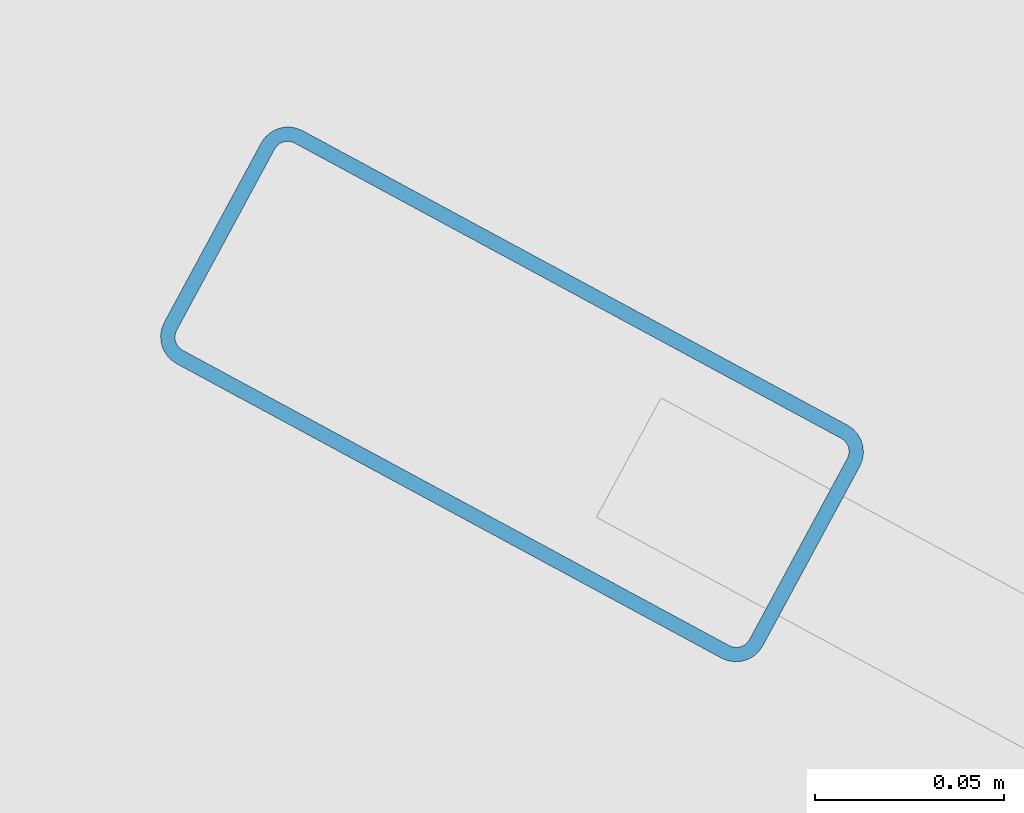
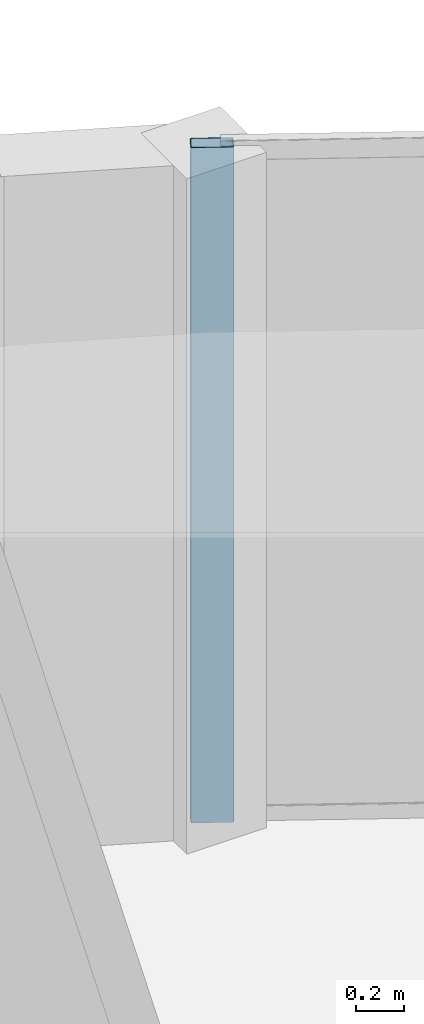
# One storey, part 8 of 14: 1 member, 1 element without a shape of its own.
"""IFC4 building model written with IfcOpenShell, lengths in metres."""

import ifcopenshell
import ifcopenshell.guid

model = None  # the IFC model being written
_history = None  # IfcOwnerHistory: only IFC2X3 demands one
_inside = {}  # id of a spatial element -> (the spatial element, [elements in it])
_under = {}  # id of a project, library or spatial element -> (it, [spatial elements below it])
_declared = {}  # id of a project -> (the project, [libraries it declares])
_typed = {}  # id of a type object -> (the type object, [elements of that type])
_made_of = {}  # id of a material, layer set ... -> (it, [elements and type objects made of it])


def new_model(schema):
    """Start an empty IFC model of exactly this schema.

    Asked for "IFC4X3", IfcOpenShell would pick the latest addendum, in which some entities
    have other attributes; the version numbers below select the first issue.
    IFC2X3 requires an IfcOwnerHistory on every rooted entity: one is made here for all.
    """
    global model, _history
    if schema == "IFC4X3":
        model = ifcopenshell.file(schema_version=(4, 3, 0, 0))
    else:
        model = ifcopenshell.file(schema=schema)
    _inside.clear()
    _under.clear()
    _declared.clear()
    _typed.clear()
    _made_of.clear()
    _history = None
    if model.schema == "IFC2X3":
        org = make("IfcOrganization", Name="unknown")
        user = make(
            "IfcPersonAndOrganization",
            ThePerson=make("IfcPerson", FamilyName="unknown"),
            TheOrganization=org,
        )
        app = make(
            "IfcApplication",
            ApplicationDeveloper=org,
            Version="unknown",
            ApplicationFullName="unknown",
            ApplicationIdentifier="unknown",
        )
        _history = make(
            "IfcOwnerHistory",
            OwningUser=user,
            OwningApplication=app,
            ChangeAction="ADDED",
            CreationDate=0,
        )
    return model


def make(cls, **values):
    """One entity of the class cls with the attributes given. An attribute that is None is left unset."""
    return model.create_entity(
        cls, **{name: value for name, value in values.items() if value is not None}
    )


def rooted(cls, **values):
    """An entity with a GlobalId (a new one), such as an element, a storey or a relation."""
    return make(cls, GlobalId=ifcopenshell.guid.new(), OwnerHistory=_history, **values)


def si_unit(unit_type, name, prefix=None):
    """IfcSIUnit, for example si_unit("LENGTHUNIT", "METRE", prefix="MILLI")."""
    return make("IfcSIUnit", UnitType=unit_type, Prefix=prefix, Name=name)


def assignment(units):
    """IfcUnitAssignment: the units of a project."""
    return None if units is None else make("IfcUnitAssignment", Units=units)


def point(xyz):
    """IfcCartesianPoint."""
    return None if xyz is None else make("IfcCartesianPoint", Coordinates=xyz)


def direction(xyz):
    """IfcDirection."""
    return None if xyz is None else make("IfcDirection", DirectionRatios=xyz)


def frame(location, z_axis=None, x_axis=None):
    """IfcAxis2Placement3D, a coordinate frame: its origin and axes. An axis left out is left unset."""
    return make(
        "IfcAxis2Placement3D",
        Location=point(location),
        Axis=direction(z_axis),
        RefDirection=direction(x_axis),
    )


def frame_2d(location, x_axis=None):
    """IfcAxis2Placement2D, a coordinate frame in the plane: its origin and x axis."""
    return make(
        "IfcAxis2Placement2D", Location=point(location), RefDirection=direction(x_axis)
    )


def origin():
    """The frame at (0, 0, 0) with its axes left unset."""
    return frame((0.0, 0.0, 0.0))


def origin_2d():
    """The frame at (0, 0) in the plane with its x axis left unset."""
    return frame_2d((0.0, 0.0))


def place(relative_to, where):
    """IfcLocalPlacement: puts the frame where relative to a parent placement (None: the world)."""
    return make(
        "IfcLocalPlacement", PlacementRelTo=relative_to, RelativePlacement=where
    )


def context(
    kind, dimensions, precision=None, world=None, true_north=None, identifier=None
):
    """IfcGeometricRepresentationContext, for example the 3D "Model" context."""
    return make(
        "IfcGeometricRepresentationContext",
        ContextIdentifier=identifier,
        ContextType=kind,
        CoordinateSpaceDimension=dimensions,
        Precision=precision,
        WorldCoordinateSystem=world,
        TrueNorth=true_north,
    )


def subcontext(parent, identifier, kind, view, scale=None):
    """IfcGeometricRepresentationSubContext, for example "Body" below "Model"."""
    return make(
        "IfcGeometricRepresentationSubContext",
        ContextIdentifier=identifier,
        ContextType=kind,
        ParentContext=parent,
        TargetScale=scale,
        TargetView=view,
    )


def project(units=None, contexts=None):
    """IfcProject with its units and contexts."""
    return rooted(
        "IfcProject",
        Name="project",
        RepresentationContexts=contexts,
        UnitsInContext=assignment(units),
    )


def spatial(cls, under=None, at=None, **own):
    """A site, building, storey or space (cls), placed at a placement, below another one or the project."""
    s = rooted(cls, ObjectPlacement=at, **own)
    if under is not None:
        _under.setdefault(under.id(), (under, []))[1].append(s)
    return s


def profile(cls, at=None, kind="AREA", **sizes):
    """A parametric profile (cls). Its sizes go by their IFC names, for example OverallWidth=200.0."""
    return make(cls, ProfileType=kind, Position=at, **sizes)


def hollow_rectangle(**sizes):
    """IfcRectangleHollowProfileDef."""
    return profile("IfcRectangleHollowProfileDef", **sizes)


def extrude(swept, where, along, depth):
    """IfcExtrudedAreaSolid: the profile swept, set in the frame where, extruded along a direction by depth."""
    return make(
        "IfcExtrudedAreaSolid",
        SweptArea=swept,
        Position=where,
        ExtrudedDirection=direction(along),
        Depth=depth,
    )


def shape(context_of_items, identifier, shape_type, items):
    """IfcShapeRepresentation: the items that make up one representation, for example the "Body"."""
    return make(
        "IfcShapeRepresentation",
        ContextOfItems=context_of_items,
        RepresentationIdentifier=identifier,
        RepresentationType=shape_type,
        Items=items,
    )


def material(Name=None, Category=None):
    """IfcMaterial."""
    return make("IfcMaterial", Name=Name, Category=Category)


def layer(
    of_material, thickness, ventilated=None, Name=None, Category=None, Priority=None
):
    """IfcMaterialLayer: one layer of a wall or slab, of a material (None: an air gap)."""
    return make(
        "IfcMaterialLayer",
        Material=of_material,
        LayerThickness=thickness,
        IsVentilated=ventilated,
        Name=Name,
        Category=Category,
        Priority=Priority,
    )


def layer_set(layers, Name=None):
    """IfcMaterialLayerSet."""
    return make("IfcMaterialLayerSet", MaterialLayers=layers, LayerSetName=Name)


def material_profile(
    of_material, cross_section, Name=None, Category=None, Priority=None
):
    """IfcMaterialProfile: a cross section and its material."""
    return make(
        "IfcMaterialProfile",
        Name=Name,
        Material=of_material,
        Profile=cross_section,
        Priority=Priority,
        Category=Category,
    )


def profile_set(profiles, Name=None, composite=None):
    """IfcMaterialProfileSet."""
    return make(
        "IfcMaterialProfileSet",
        Name=Name,
        MaterialProfiles=profiles,
        CompositeProfile=composite,
    )


def made_of(thing, what):
    """Note that an element or type object is made of a material, layer set ...; save() writes the relation."""
    if what is not None:
        _made_of.setdefault(what.id(), (what, []))[1].append(thing)
    return thing


def type_object(cls, material=None, **own):
    """A type object (cls), such as IfcWallType, which elements share."""
    return made_of(rooted(cls, **own), material)


def element(
    cls,
    number,
    at=None,
    inside=None,
    cuts=None,
    type_object=None,
    material=None,
    context=None,
    identifier="Body",
    shape_type=None,
    held_by="IfcProductDefinitionShape",
    body=None,
    shapes=None,
    **own,
):
    """One element of the class cls, such as IfcWall. Its Tag is "e" and its number.

    at: its placement. inside: the storey or other place that contains it. cuts: it is an
    opening in that element (IfcRelVoidsElement). A single representation is given by context,
    identifier, shape_type and body (its items); several are given by shapes. held_by: the class
    of the entity that holds the representations. save() writes the other relations.
    """
    e = rooted(cls, Tag="e%d" % number, ObjectPlacement=at, **own)
    if body is not None:
        shapes = [shape(context, identifier, shape_type, body)]
    if shapes is not None:
        e.Representation = make(held_by, Representations=shapes)
    if inside is not None:
        _inside.setdefault(inside.id(), (inside, []))[1].append(e)
    if cuts is not None:
        rooted(
            "IfcRelVoidsElement", RelatingBuildingElement=cuts, RelatedOpeningElement=e
        )
    if type_object is not None:
        _typed.setdefault(type_object.id(), (type_object, []))[1].append(e)
    return made_of(e, material)


def aggregate(whole, parts):
    """IfcRelAggregates: a whole, such as a stair, and the parts it consists of."""
    return rooted("IfcRelAggregates", RelatingObject=whole, RelatedObjects=parts)


def save(model, path):
    """Write the relations noted so far, then the file.

    IfcRelAggregates (storeys below a building ...), IfcRelContainedInSpatialStructure (elements
    in a storey), IfcRelDefinesByType, IfcRelAssociatesMaterial and IfcRelDeclares: one each for
    every whole, place, type object, material and project.
    """
    for whole, parts in _under.values():
        aggregate(whole, parts)
    for where, things in _inside.values():
        rooted(
            "IfcRelContainedInSpatialStructure",
            RelatedElements=things,
            RelatingStructure=where,
        )
    for kind, things in _typed.values():
        rooted("IfcRelDefinesByType", RelatedObjects=things, RelatingType=kind)
    for what, things in _made_of.values():
        rooted("IfcRelAssociatesMaterial", RelatedObjects=things, RelatingMaterial=what)
    for by, libraries in _declared.values():
        rooted("IfcRelDeclares", RelatingContext=by, RelatedDefinitions=libraries)
    model.write(path)


model = new_model("IFC4")

# Units and contexts
model_context = context("Model", 3, precision=1e-05, world=origin(), true_north=direction((0.0, 1.0)))
body_context = subcontext(model_context, "Body", "Model", "MODEL_VIEW")
ifc_project = project(units=[si_unit("LENGTHUNIT", "METRE"), si_unit("AREAUNIT", "SQUARE_METRE"), si_unit("VOLUMEUNIT", "CUBIC_METRE"), si_unit("PLANEANGLEUNIT", "RADIAN"), si_unit("MASSUNIT", "GRAM", prefix="KILO")], contexts=[model_context])

# Site, building, storey
site_placement = place(None, origin())
site = spatial("IfcSite", under=ifc_project, at=site_placement, CompositionType="ELEMENT")
building_placement = place(site_placement, origin())
building = spatial("IfcBuilding", under=site, at=building_placement, Name="An Khanh Terracotta Commons", CompositionType="ELEMENT")
storey_placement = place(building_placement, frame((0.0, 0.0, 230.10009765625)))
storey = spatial("IfcBuildingStorey", under=building, at=storey_placement, Name="L60", CompositionType="ELEMENT", Elevation=230.10009765625)

# Curtain wall, member
ifc_material = material(Name="Anodised Aluminium 6063-T6", Category="aluminium")
ifc_layer = layer(ifc_material, 0.2099609375, Name="Anodised Aluminium 6063-T6")
ifc_layer_set = layer_set([ifc_layer], Name="Anodised Aluminium 6063-T6")
curtain_wall_type = type_object("IfcCurtainWallType", Name="CW-SYS-03", PredefinedType="USERDEFINED", material=ifc_layer_set)
curtain_wall_placement = place(storey_placement, origin())
curtain_wall = element("IfcCurtainWall", 1, at=curtain_wall_placement, inside=storey, type_object=curtain_wall_type, Name="L60 CW-03 Unitised Curtain Wall CW-L60-16", ObjectType="UNITISED CURTAIN WALL", PredefinedType="USERDEFINED")
ifc_material_profile = material_profile(ifc_material, hollow_rectangle(XDim=0.070068359375, YDim=0.179931640625, WallThickness=0.00390625, InnerFilletRadius=0.00390625, OuterFilletRadius=0.008056640625, at=origin_2d()), Name="RHS180x70x4")
ifc_profile_set = profile_set([ifc_material_profile], Name="Anodised Aluminium 6063-T6")
member_type = type_object("IfcMemberType", Name="CWM-RHS180x70x4", PredefinedType="MULLION", material=ifc_profile_set)
member_placement = place(storey_placement, frame((57.3876953125, 39.058349609375, 0.0), z_axis=(0.0, 0.0, 1.0), x_axis=(-0.47538088298, -0.879780095306, 0.0)))
member = element("IfcMember", 2, at=member_placement, type_object=member_type, Name="CW-03 mullion 5", PredefinedType="MULLION", context=body_context, shape_type="SweptSolid", body=[
    extrude(hollow_rectangle(XDim=0.070068359375, YDim=0.179931640625, WallThickness=0.00390625, InnerFilletRadius=0.00390625, OuterFilletRadius=0.008056640625, at=origin_2d()), origin(), (0.0, 0.0, 1.0), 3.39990234375),
])
aggregate(curtain_wall, [member])

save(model, "model.ifc")
